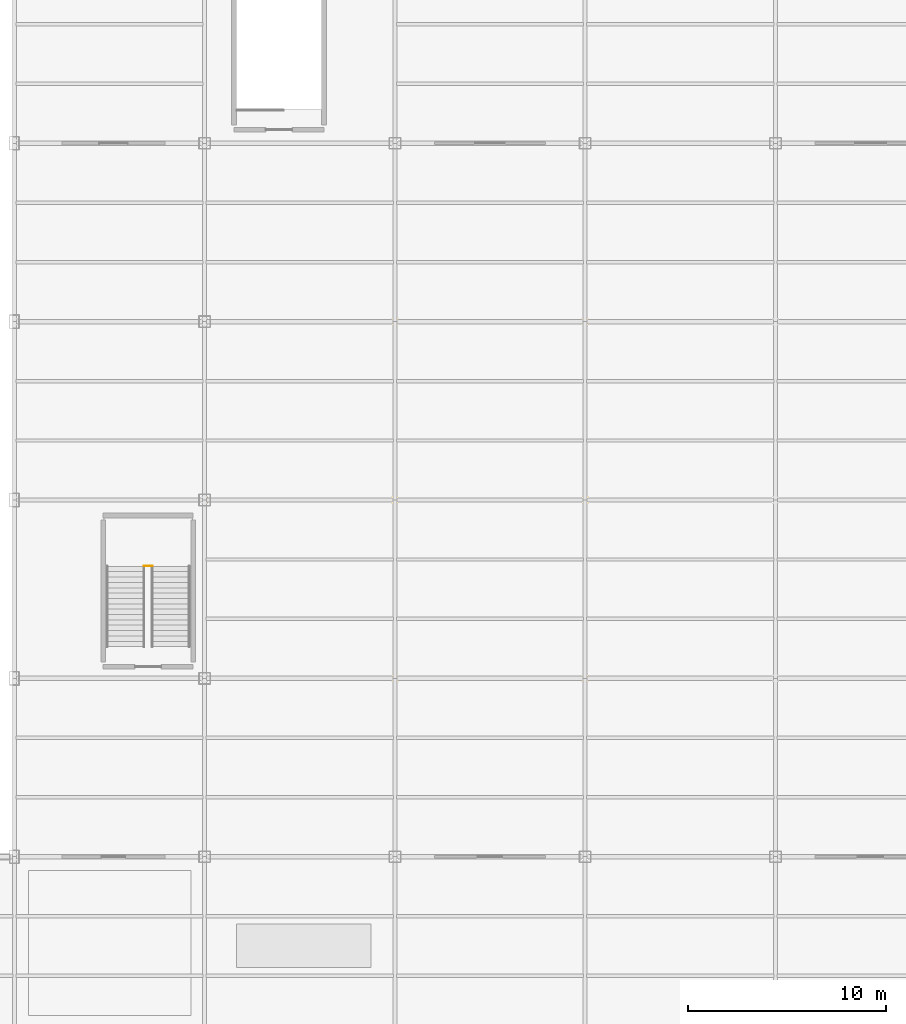
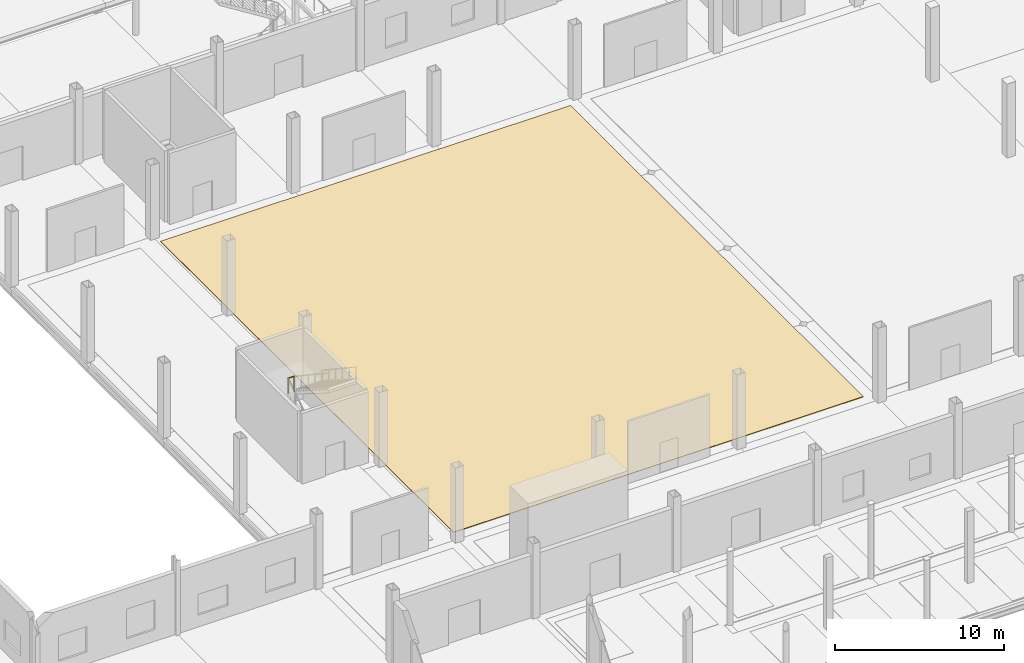
# One storey, part 79 of 85: 1 covering, 1 railing.
"""IFC4 building model written with IfcOpenShell, lengths in metres."""

from ifc_helpers import new_model, si_unit, direction, frame, origin, origin_2d, place, context, subcontext, project, spatial, polyline, circle, outline, extrude, material, layer, layer_set, type_object, element, save


model = new_model("IFC4")

# Units and contexts
model_context = context("Model", 3, precision=1e-05, world=origin(), true_north=direction((0.0, 1.0)))
body_context = subcontext(model_context, "Body", "Model", "MODEL_VIEW")
ifc_project = project(units=[si_unit("LENGTHUNIT", "METRE"), si_unit("AREAUNIT", "SQUARE_METRE"), si_unit("VOLUMEUNIT", "CUBIC_METRE"), si_unit("PLANEANGLEUNIT", "RADIAN"), si_unit("MASSUNIT", "GRAM", prefix="KILO")], contexts=[model_context])

# Site, building, storey
site_placement = place(None, origin())
site = spatial("IfcSite", under=ifc_project, at=site_placement, CompositionType="ELEMENT")
building_placement = place(site_placement, origin())
building = spatial("IfcBuilding", under=site, at=building_placement, Name="Zarnetskaya Central Station", CompositionType="ELEMENT")
storey_placement = place(building_placement, origin())
storey = spatial("IfcBuildingStorey", under=building, at=storey_placement, Name="L00", CompositionType="ELEMENT", Elevation=0.0)

# Covering
ifc_material_1 = material(Name="Granite stone flooring", Category="masonry")
ifc_layer = layer(ifc_material_1, 0.0400390625, Name="Granite stone flooring", Category="masonry")
ifc_layer_set = layer_set([ifc_layer], Name="Granite stone flooring")
covering_type = type_object("IfcCoveringType", Name="COV-GRAN-FLR", PredefinedType="FLOORING", material=ifc_layer_set)
covering_placement = place(storey_placement, origin())
element("IfcCovering", 1, at=covering_placement, inside=storey, type_object=covering_type, Name="Granite terrazzo floor finish L00-201", PredefinedType="FLOORING", context=body_context, shape_type="SweptSolid", body=[
    extrude(outline(polyline([(67.35009765625, 22.89990234375), (95.300048828125, 22.89990234375), (95.300048828125, 57.5), (67.35009765625, 57.5), (67.35009765625, 22.89990234375)])), origin(), (0.0, 0.0, 1.0), 0.0400390625),
])

# Railing
ifc_material_2 = material(Name="Steel S355", Category="steel")
railing_type = type_object("IfcRailingType", Name="RAIL-STAIR-GRD", PredefinedType="BALUSTRADE", material=ifc_material_2)
railing_placement = place(storey_placement, frame((64.139892578125, 36.8701171875, 2.699951171875)))
element("IfcRailing", 2, at=railing_placement, inside=storey, type_object=railing_type, Name="Stair ST-H1 L00 half-landing well guard", PredefinedType="BALUSTRADE", context=body_context, shape_type="SweptSolid", body=[
    extrude(circle(Radius=0.02392578125, at=origin_2d()), frame((0.0, 0.0, 1.09619140625), z_axis=(1.0, 0.0, 0.0), x_axis=(0.0, 1.0, 0.0)), (0.0, 0.0, 1.0), 0.420166015625),
    extrude(circle(Radius=0.02099609375, at=origin_2d()), origin(), (0.0, 0.0, 1.0), 1.072021484375),
    extrude(circle(Radius=0.02099609375, at=origin_2d()), frame((0.420166015625, 0.0, 0.0)), (0.0, 0.0, 1.0), 1.072021484375),
])

save(model, "model.ifc")
